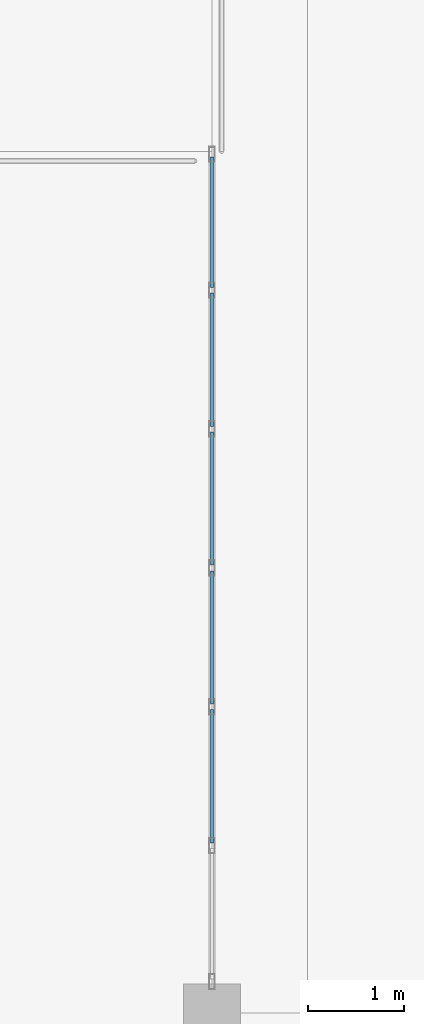
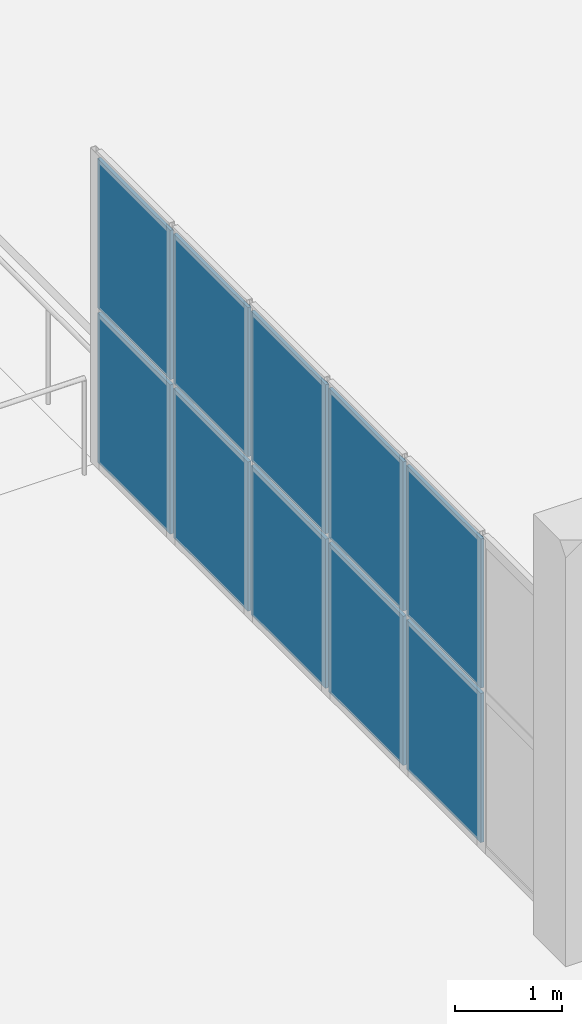
# One storey, part 59 of 89: 10 plates, 1 element without a shape of its own.
"""IFC4 building model written with IfcOpenShell, lengths in metres."""

from ifc_helpers import new_model, si_unit, direction, frame, origin, origin_2d, place, context, subcontext, project, spatial, rectangle, extrude, material, layer, layer_set, type_object, element, aggregate, save


model = new_model("IFC4")

# Units and contexts
model_context = context("Model", 3, precision=1e-05, world=origin(), true_north=direction((0.0, 1.0)))
body_context = subcontext(model_context, "Body", "Model", "MODEL_VIEW")
ifc_project = project(units=[si_unit("LENGTHUNIT", "METRE"), si_unit("AREAUNIT", "SQUARE_METRE"), si_unit("VOLUMEUNIT", "CUBIC_METRE"), si_unit("PLANEANGLEUNIT", "RADIAN"), si_unit("MASSUNIT", "GRAM", prefix="KILO")], contexts=[model_context])

# Site, building, storey
site_placement = place(None, origin())
site = spatial("IfcSite", under=ifc_project, at=site_placement, CompositionType="ELEMENT")
building_placement = place(site_placement, origin())
building = spatial("IfcBuilding", under=site, at=building_placement, Name="Dornveld Trade and Exhibition Forum", CompositionType="ELEMENT")
storey_placement = place(building_placement, frame((0.0, 0.0, 12.0)))
storey = spatial("IfcBuildingStorey", under=building, at=storey_placement, Name="L02", CompositionType="ELEMENT", Elevation=12.0)

# Curtain wall, plates
ifc_material_1 = material(Name="Dark-bronze anodised aluminium and low-E glass", Category="aluminium")
ifc_layer_1 = layer(ifc_material_1, 0.172119140625)
ifc_layer_set_1 = layer_set([ifc_layer_1], Name="Dark-bronze anodised aluminium and low-E glass")
curtain_wall_type = type_object("IfcCurtainWallType", Name="CW-SYS-10", PredefinedType="USERDEFINED", material=ifc_layer_set_1)
curtain_wall_placement = place(storey_placement, origin())
curtain_wall = element("IfcCurtainWall", 1, at=curtain_wall_placement, inside=storey, type_object=curtain_wall_type, Name="L02 unitised curtain wall 118", ObjectType="UNITISED_CURTAIN_WALL", PredefinedType="USERDEFINED")
ifc_material_2 = material(Name="Double-glazed low-E solar control glass", Category="glass")
ifc_layer_2 = layer(ifc_material_2, 0.035888671875)
ifc_layer_set_2 = layer_set([ifc_layer_2], Name="Double-glazed low-E solar control glass")
plate_type = type_object("IfcPlateType", Name="CW-PNL-06", PredefinedType="CURTAIN_PANEL", material=ifc_layer_set_2)
plate_1_placement = place(storey_placement, frame((207.0, 128.471923828125, 0.05615234375), z_axis=(0.0, 0.0, 1.0), x_axis=(0.0, 1.0, 0.0)))
plate_1 = element("IfcPlate", 2, at=plate_1_placement, type_object=plate_type, Name="CW-10 panel 2.1", PredefinedType="CURTAIN_PANEL", context=body_context, shape_type="SweptSolid", body=[
    extrude(rectangle(XDim=1.390625, YDim=0.035888671875, at=origin_2d()), origin(), (0.0, 0.0, 1.0), 1.701904296875),
])
plate_2_placement = place(storey_placement, frame((207.0, 128.471923828125, 1.81787109375), z_axis=(0.0, 0.0, 1.0), x_axis=(0.0, 1.0, 0.0)))
plate_2 = element("IfcPlate", 3, at=plate_2_placement, type_object=plate_type, Name="CW-10 panel 2.2", PredefinedType="CURTAIN_PANEL", context=body_context, shape_type="SweptSolid", body=[
    extrude(rectangle(XDim=1.390625, YDim=0.035888671875, at=origin_2d()), origin(), (0.0, 0.0, 1.0), 1.701904296875),
])
plate_3_placement = place(storey_placement, frame((207.0, 129.922607421875, 0.05615234375), z_axis=(0.0, 0.0, 1.0), x_axis=(0.0, 1.0, 0.0)))
plate_3 = element("IfcPlate", 4, at=plate_3_placement, type_object=plate_type, Name="CW-10 panel 3.1", PredefinedType="CURTAIN_PANEL", context=body_context, shape_type="SweptSolid", body=[
    extrude(rectangle(XDim=1.390625, YDim=0.035888671875, at=origin_2d()), origin(), (0.0, 0.0, 1.0), 1.701904296875),
])
plate_4_placement = place(storey_placement, frame((207.0, 129.922607421875, 1.81787109375), z_axis=(0.0, 0.0, 1.0), x_axis=(0.0, 1.0, 0.0)))
plate_4 = element("IfcPlate", 5, at=plate_4_placement, type_object=plate_type, Name="CW-10 panel 3.2", PredefinedType="CURTAIN_PANEL", context=body_context, shape_type="SweptSolid", body=[
    extrude(rectangle(XDim=1.390625, YDim=0.035888671875, at=origin_2d()), origin(), (0.0, 0.0, 1.0), 1.701904296875),
])
plate_5_placement = place(storey_placement, frame((207.0, 131.373291015625, 0.05615234375), z_axis=(0.0, 0.0, 1.0), x_axis=(0.0, 1.0, 0.0)))
plate_5 = element("IfcPlate", 6, at=plate_5_placement, type_object=plate_type, Name="CW-10 panel 4.1", PredefinedType="CURTAIN_PANEL", context=body_context, shape_type="SweptSolid", body=[
    extrude(rectangle(XDim=1.390625, YDim=0.035888671875, at=origin_2d()), origin(), (0.0, 0.0, 1.0), 1.701904296875),
])
plate_6_placement = place(storey_placement, frame((207.0, 131.373291015625, 1.81787109375), z_axis=(0.0, 0.0, 1.0), x_axis=(0.0, 1.0, 0.0)))
plate_6 = element("IfcPlate", 7, at=plate_6_placement, type_object=plate_type, Name="CW-10 panel 4.2", PredefinedType="CURTAIN_PANEL", context=body_context, shape_type="SweptSolid", body=[
    extrude(rectangle(XDim=1.390625, YDim=0.035888671875, at=origin_2d()), origin(), (0.0, 0.0, 1.0), 1.701904296875),
])
plate_7_placement = place(storey_placement, frame((207.0, 132.823974609375, 0.05615234375), z_axis=(0.0, 0.0, 1.0), x_axis=(0.0, 1.0, 0.0)))
plate_7 = element("IfcPlate", 8, at=plate_7_placement, type_object=plate_type, Name="CW-10 panel 5.1", PredefinedType="CURTAIN_PANEL", context=body_context, shape_type="SweptSolid", body=[
    extrude(rectangle(XDim=1.390625, YDim=0.035888671875, at=origin_2d()), origin(), (0.0, 0.0, 1.0), 1.701904296875),
])
plate_8_placement = place(storey_placement, frame((207.0, 132.823974609375, 1.81787109375), z_axis=(0.0, 0.0, 1.0), x_axis=(0.0, 1.0, 0.0)))
plate_8 = element("IfcPlate", 9, at=plate_8_placement, type_object=plate_type, Name="CW-10 panel 5.2", PredefinedType="CURTAIN_PANEL", context=body_context, shape_type="SweptSolid", body=[
    extrude(rectangle(XDim=1.390625, YDim=0.035888671875, at=origin_2d()), origin(), (0.0, 0.0, 1.0), 1.701904296875),
])
plate_9_placement = place(storey_placement, frame((207.0, 134.259765625, 0.05615234375), z_axis=(0.0, 0.0, 1.0), x_axis=(0.0, 1.0, 0.0)))
plate_9 = element("IfcPlate", 10, at=plate_9_placement, type_object=plate_type, Name="CW-10 panel 6.1", PredefinedType="CURTAIN_PANEL", context=body_context, shape_type="SweptSolid", body=[
    extrude(rectangle(XDim=1.360595703125, YDim=0.035888671875, at=origin_2d()), origin(), (0.0, 0.0, 1.0), 1.701904296875),
])
plate_10_placement = place(storey_placement, frame((207.0, 134.259765625, 1.81787109375), z_axis=(0.0, 0.0, 1.0), x_axis=(0.0, 1.0, 0.0)))
plate_10 = element("IfcPlate", 11, at=plate_10_placement, type_object=plate_type, Name="CW-10 panel 6.2", PredefinedType="CURTAIN_PANEL", context=body_context, shape_type="SweptSolid", body=[
    extrude(rectangle(XDim=1.360595703125, YDim=0.035888671875, at=origin_2d()), origin(), (0.0, 0.0, 1.0), 1.701904296875),
])
aggregate(curtain_wall, [plate_1, plate_2, plate_3, plate_4, plate_5, plate_6, plate_7, plate_8, plate_9, plate_10])

save(model, "model.ifc")
